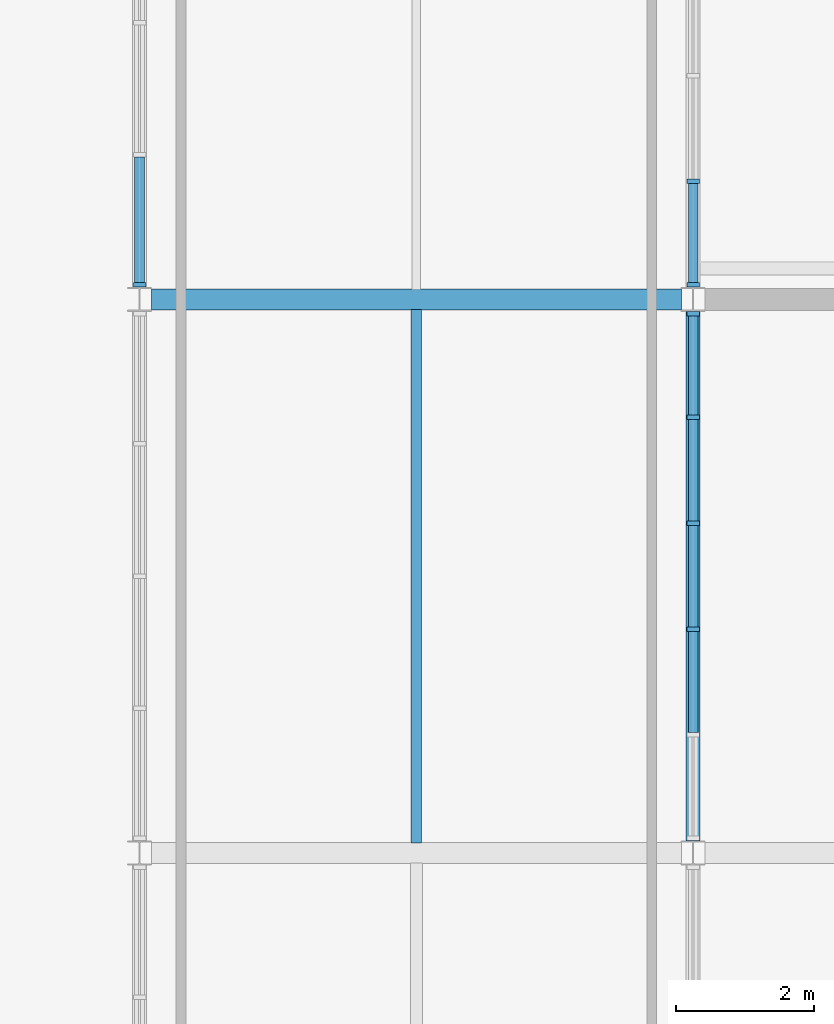
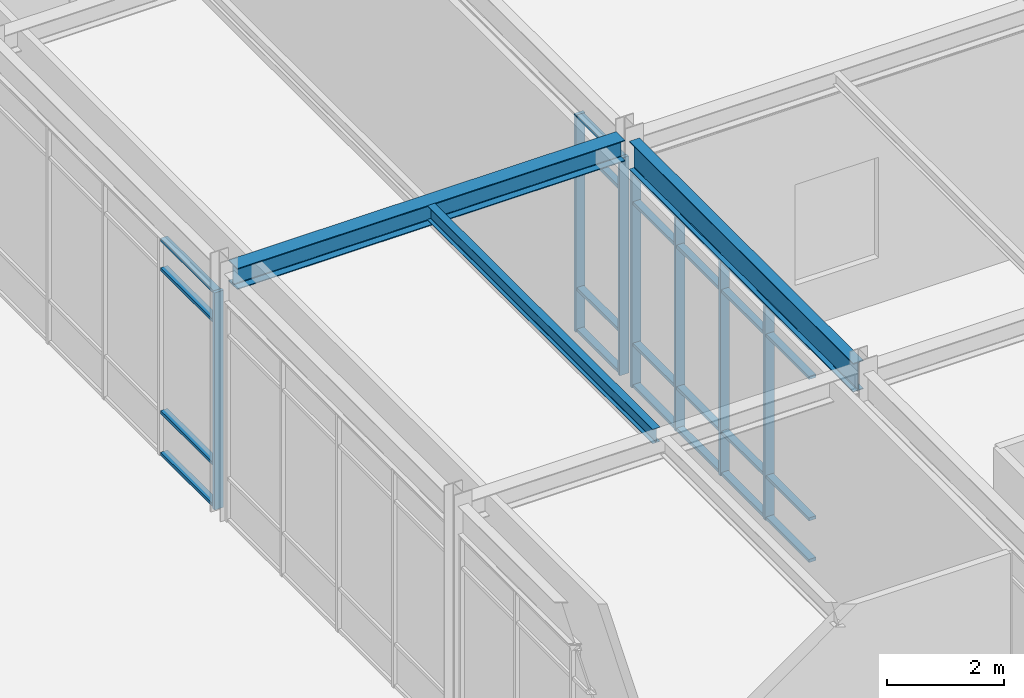
# One storey, part 37 of 119: 31 members, 3 beams, 3 elements without a shape of their own.
"""IFC4 building model written with IfcOpenShell, lengths in metres."""

from ifc_helpers import new_model, si_unit, direction, frame, origin, origin_2d, place, context, subcontext, project, spatial, rectangle, i_section, extrude, material, material_profile, profile_set, type_object, element, aggregate, save


model = new_model("IFC4")

# Units and contexts
model_context = context("Model", 3, precision=1e-05, world=origin(), true_north=direction((0.0, 1.0)))
body_context = subcontext(model_context, "Body", "Model", "MODEL_VIEW")
ifc_project = project(units=[si_unit("LENGTHUNIT", "METRE"), si_unit("AREAUNIT", "SQUARE_METRE"), si_unit("VOLUMEUNIT", "CUBIC_METRE"), si_unit("PLANEANGLEUNIT", "RADIAN"), si_unit("MASSUNIT", "GRAM", prefix="KILO")], contexts=[model_context])

# Site, building, storey
site_placement = place(None, origin())
site = spatial("IfcSite", under=ifc_project, at=site_placement, CompositionType="ELEMENT")
building_placement = place(site_placement, origin())
building = spatial("IfcBuilding", under=site, at=building_placement, Name="Zhaolan Boulevard Law Courts", CompositionType="ELEMENT")
storey_placement = place(building_placement, origin())
storey = spatial("IfcBuildingStorey", under=building, at=storey_placement, Name="L00", CompositionType="ELEMENT", Elevation=0.0)

# Curtain wall, member
ifc_material_1 = material(Name="Thermally broken aluminium and low-E glazing", Category="aluminium")
curtain_wall_type_1 = type_object("IfcCurtainWallType", Name="CURTAIN WALL M22", PredefinedType="USERDEFINED", material=ifc_material_1)
curtain_wall_1_placement = place(storey_placement, origin())
curtain_wall_1 = element("IfcCurtainWall", 1, at=curtain_wall_1_placement, inside=storey, type_object=curtain_wall_type_1, Name="Curtain Wall CW-L00-022", ObjectType="CURTAIN WALL", PredefinedType="USERDEFINED")
ifc_material_2 = material(Name="Fluorocarbon-coated aluminium 6063-T6", Category="aluminium")
ifc_material_profile_1 = material_profile(ifc_material_2, rectangle(XDim=0.179931640625, YDim=0.06494140625, at=origin_2d()), Name="AL65x180")
ifc_profile_set_1 = profile_set([ifc_material_profile_1], Name="Fluorocarbon-coated aluminium 6063-T6")
member_type_1 = type_object("IfcMemberType", Name="CWMULLION 65X180", PredefinedType="MULLION", material=ifc_profile_set_1)
member_1_placement = place(storey_placement, frame((116.0, 46.20947265625, 0.0), z_axis=(0.0, 0.0, 1.0), x_axis=(1.0, 0.0, 0.0)))
member_1 = element("IfcMember", 2, at=member_1_placement, type_object=member_type_1, Name="CW-L00-022 mullion 5", PredefinedType="MULLION", context=body_context, shape_type="SweptSolid", body=[
    extrude(rectangle(XDim=0.179931640625, YDim=0.06494140625, at=origin_2d()), origin(), (0.0, 0.0, 1.0), 4.532958984375),
])

# Curtain wall, members
ifc_material_3 = material(Name="Thermally broken aluminium and low-E glazing", Category="aluminium")
curtain_wall_type_2 = type_object("IfcCurtainWallType", Name="CURTAIN WALL M1", PredefinedType="USERDEFINED", material=ifc_material_3)
curtain_wall_2_placement = place(storey_placement, origin())
curtain_wall_2 = element("IfcCurtainWall", 3, at=curtain_wall_2_placement, inside=storey, type_object=curtain_wall_type_2, Name="Curtain Wall CW-L00-025", ObjectType="CURTAIN WALL", PredefinedType="USERDEFINED")
member_2_placement = place(storey_placement, frame((124.0, 41.2353515625, 0.0), z_axis=(0.0, 0.0, 1.0), x_axis=(-1.0, 0.0, 0.0)))
member_2 = element("IfcMember", 4, at=member_2_placement, type_object=member_type_1, Name="CW-L00-025 mullion 3", PredefinedType="MULLION", context=body_context, shape_type="SweptSolid", body=[
    extrude(rectangle(XDim=0.179931640625, YDim=0.06494140625, at=origin_2d()), origin(), (0.0, 0.0, 1.0), 4.5029296875),
])
member_3_placement = place(storey_placement, frame((124.0, 42.7646484375, 0.0), z_axis=(0.0, 0.0, 1.0), x_axis=(-1.0, 0.0, 0.0)))
member_3 = element("IfcMember", 5, at=member_3_placement, type_object=member_type_1, Name="CW-L00-025 mullion 4", PredefinedType="MULLION", context=body_context, shape_type="SweptSolid", body=[
    extrude(rectangle(XDim=0.179931640625, YDim=0.06494140625, at=origin_2d()), origin(), (0.0, 0.0, 1.0), 4.5029296875),
])
member_4_placement = place(storey_placement, frame((124.0, 44.293701171875, 0.0), z_axis=(0.0, 0.0, 1.0), x_axis=(-1.0, 0.0, 0.0)))
member_4 = element("IfcMember", 6, at=member_4_placement, type_object=member_type_1, Name="CW-L00-025 mullion 5", PredefinedType="MULLION", context=body_context, shape_type="SweptSolid", body=[
    extrude(rectangle(XDim=0.179931640625, YDim=0.06494140625, at=origin_2d()), origin(), (0.0, 0.0, 1.0), 4.5029296875),
])
member_5_placement = place(storey_placement, frame((124.0, 45.79052734375, 0.0), z_axis=(0.0, 0.0, 1.0), x_axis=(-1.0, 0.0, 0.0)))
member_5 = element("IfcMember", 7, at=member_5_placement, type_object=member_type_1, Name="CW-L00-025 mullion 6", PredefinedType="MULLION", context=body_context, shape_type="SweptSolid", body=[
    extrude(rectangle(XDim=0.179931640625, YDim=0.06494140625, at=origin_2d()), origin(), (0.0, 0.0, 1.0), 4.5029296875),
])

ifc_material_4 = material(Name="Thermally broken aluminium and low-E glazing", Category="aluminium")
curtain_wall_type_3 = type_object("IfcCurtainWallType", Name="CURTAIN WALL M2", PredefinedType="USERDEFINED", material=ifc_material_4)
curtain_wall_3_placement = place(storey_placement, origin())
curtain_wall_3 = element("IfcCurtainWall", 8, at=curtain_wall_3_placement, inside=storey, type_object=curtain_wall_type_3, Name="Curtain Wall CW-L00-026", ObjectType="CURTAIN WALL", PredefinedType="USERDEFINED")
member_6_placement = place(storey_placement, frame((124.0, 46.20947265625, 0.0), z_axis=(0.0, 0.0, 1.0), x_axis=(-1.0, 0.0, 0.0)))
member_6 = element("IfcMember", 9, at=member_6_placement, type_object=member_type_1, Name="CW-L00-026 mullion 1", PredefinedType="MULLION", context=body_context, shape_type="SweptSolid", body=[
    extrude(rectangle(XDim=0.179931640625, YDim=0.06494140625, at=origin_2d()), origin(), (0.0, 0.0, 1.0), 4.532958984375),
])
member_7_placement = place(storey_placement, frame((124.0, 47.706298828125, 0.0), z_axis=(0.0, 0.0, 1.0), x_axis=(-1.0, 0.0, 0.0)))
member_7 = element("IfcMember", 10, at=member_7_placement, type_object=member_type_1, Name="CW-L00-026 mullion 2", PredefinedType="MULLION", context=body_context, shape_type="SweptSolid", body=[
    extrude(rectangle(XDim=0.179931640625, YDim=0.06494140625, at=origin_2d()), origin(), (0.0, 0.0, 1.0), 4.532958984375),
])

# Member
ifc_material_5 = material(Name="Fluorocarbon-coated aluminium 6063-T6", Category="aluminium")
ifc_material_profile_2 = material_profile(ifc_material_5, rectangle(XDim=0.139892578125, YDim=0.06494140625, at=origin_2d()), Name="AL65x140")
ifc_profile_set_2 = profile_set([ifc_material_profile_2], Name="Fluorocarbon-coated aluminium 6063-T6")
member_type_2 = type_object("IfcMemberType", Name="CWTRANSOM 65X140", PredefinedType="USERDEFINED", material=ifc_profile_set_2)
member_8_placement = place(storey_placement, frame((116.0, 48.055908203125, 0.032470703125), z_axis=(0.0, -1.0, 0.0), x_axis=(1.0, 0.0, 0.0)))
member_8 = element("IfcMember", 11, at=member_8_placement, type_object=member_type_2, Name="CW-L00-022 transom 4.1", ObjectType="TRANSOM", PredefinedType="USERDEFINED", context=body_context, shape_type="SweptSolid", body=[
    extrude(rectangle(XDim=0.139892578125, YDim=0.06494140625, at=origin_2d()), origin(), (0.0, 0.0, 1.0), 1.81396484375),
])

member_9_placement = place(storey_placement, frame((116.0, 48.055908203125, 0.89990234375), z_axis=(0.0, -1.0, 0.0), x_axis=(1.0, 0.0, 0.0)))
member_9 = element("IfcMember", 12, at=member_9_placement, type_object=member_type_2, Name="CW-L00-022 transom 4.2", ObjectType="TRANSOM", PredefinedType="USERDEFINED", context=body_context, shape_type="SweptSolid", body=[
    extrude(rectangle(XDim=0.139892578125, YDim=0.06494140625, at=origin_2d()), origin(), (0.0, 0.0, 1.0), 1.81396484375),
])

member_10_placement = place(storey_placement, frame((116.0, 48.055908203125, 3.883056640625), z_axis=(0.0, -1.0, 0.0), x_axis=(1.0, 0.0, 0.0)))
member_10 = element("IfcMember", 13, at=member_10_placement, type_object=member_type_2, Name="CW-L00-022 transom 4.3", ObjectType="TRANSOM", PredefinedType="USERDEFINED", context=body_context, shape_type="SweptSolid", body=[
    extrude(rectangle(XDim=0.139892578125, YDim=0.06494140625, at=origin_2d()), origin(), (0.0, 0.0, 1.0), 1.81396484375),
])

member_11_placement = place(storey_placement, frame((116.0, 48.055908203125, 4.50048828125), z_axis=(0.0, -1.0, 0.0), x_axis=(1.0, 0.0, 0.0)))
member_11 = element("IfcMember", 14, at=member_11_placement, type_object=member_type_2, Name="CW-L00-022 transom 4.4", ObjectType="TRANSOM", PredefinedType="USERDEFINED", context=body_context, shape_type="SweptSolid", body=[
    extrude(rectangle(XDim=0.139892578125, YDim=0.06494140625, at=origin_2d()), origin(), (0.0, 0.0, 1.0), 1.81396484375),
])

aggregate(curtain_wall_1, [member_1, member_8, member_9, member_10, member_11])

member_12_placement = place(storey_placement, frame((124.0, 39.73876953125, 0.032470703125), z_axis=(0.0, 1.0, 0.0), x_axis=(-1.0, 0.0, 0.0)))
member_12 = element("IfcMember", 15, at=member_12_placement, type_object=member_type_2, Name="CW-L00-025 transom 2.1", ObjectType="TRANSOM", PredefinedType="USERDEFINED", context=body_context, shape_type="SweptSolid", body=[
    extrude(rectangle(XDim=0.139892578125, YDim=0.06494140625, at=origin_2d()), origin(), (0.0, 0.0, 1.0), 1.464111328125),
])

member_13_placement = place(storey_placement, frame((124.0, 39.73876953125, 0.89990234375), z_axis=(0.0, 1.0, 0.0), x_axis=(-1.0, 0.0, 0.0)))
member_13 = element("IfcMember", 16, at=member_13_placement, type_object=member_type_2, Name="CW-L00-025 transom 2.2", ObjectType="TRANSOM", PredefinedType="USERDEFINED", context=body_context, shape_type="SweptSolid", body=[
    extrude(rectangle(XDim=0.139892578125, YDim=0.06494140625, at=origin_2d()), origin(), (0.0, 0.0, 1.0), 1.464111328125),
])

member_14_placement = place(storey_placement, frame((124.0, 39.73876953125, 3.85302734375), z_axis=(0.0, 1.0, 0.0), x_axis=(-1.0, 0.0, 0.0)))
member_14 = element("IfcMember", 17, at=member_14_placement, type_object=member_type_2, Name="CW-L00-025 transom 2.3", ObjectType="TRANSOM", PredefinedType="USERDEFINED", context=body_context, shape_type="SweptSolid", body=[
    extrude(rectangle(XDim=0.139892578125, YDim=0.06494140625, at=origin_2d()), origin(), (0.0, 0.0, 1.0), 1.464111328125),
])

member_15_placement = place(storey_placement, frame((124.0, 39.73876953125, 4.470458984375), z_axis=(0.0, 1.0, 0.0), x_axis=(-1.0, 0.0, 0.0)))
member_15 = element("IfcMember", 18, at=member_15_placement, type_object=member_type_2, Name="CW-L00-025 transom 2.4", ObjectType="TRANSOM", PredefinedType="USERDEFINED", context=body_context, shape_type="SweptSolid", body=[
    extrude(rectangle(XDim=0.139892578125, YDim=0.06494140625, at=origin_2d()), origin(), (0.0, 0.0, 1.0), 1.464111328125),
])

member_16_placement = place(storey_placement, frame((124.0, 41.267822265625, 0.032470703125), z_axis=(0.0, 1.0, 0.0), x_axis=(-1.0, 0.0, 0.0)))
member_16 = element("IfcMember", 19, at=member_16_placement, type_object=member_type_2, Name="CW-L00-025 transom 3.1", ObjectType="TRANSOM", PredefinedType="USERDEFINED", context=body_context, shape_type="SweptSolid", body=[
    extrude(rectangle(XDim=0.139892578125, YDim=0.06494140625, at=origin_2d()), origin(), (0.0, 0.0, 1.0), 1.46435546875),
])

member_17_placement = place(storey_placement, frame((124.0, 41.267822265625, 0.89990234375), z_axis=(0.0, 1.0, 0.0), x_axis=(-1.0, 0.0, 0.0)))
member_17 = element("IfcMember", 20, at=member_17_placement, type_object=member_type_2, Name="CW-L00-025 transom 3.2", ObjectType="TRANSOM", PredefinedType="USERDEFINED", context=body_context, shape_type="SweptSolid", body=[
    extrude(rectangle(XDim=0.139892578125, YDim=0.06494140625, at=origin_2d()), origin(), (0.0, 0.0, 1.0), 1.46435546875),
])

member_18_placement = place(storey_placement, frame((124.0, 41.267822265625, 3.85302734375), z_axis=(0.0, 1.0, 0.0), x_axis=(-1.0, 0.0, 0.0)))
member_18 = element("IfcMember", 21, at=member_18_placement, type_object=member_type_2, Name="CW-L00-025 transom 3.3", ObjectType="TRANSOM", PredefinedType="USERDEFINED", context=body_context, shape_type="SweptSolid", body=[
    extrude(rectangle(XDim=0.139892578125, YDim=0.06494140625, at=origin_2d()), origin(), (0.0, 0.0, 1.0), 1.46435546875),
])

member_19_placement = place(storey_placement, frame((124.0, 41.267822265625, 4.470458984375), z_axis=(0.0, 1.0, 0.0), x_axis=(-1.0, 0.0, 0.0)))
member_19 = element("IfcMember", 22, at=member_19_placement, type_object=member_type_2, Name="CW-L00-025 transom 3.4", ObjectType="TRANSOM", PredefinedType="USERDEFINED", context=body_context, shape_type="SweptSolid", body=[
    extrude(rectangle(XDim=0.139892578125, YDim=0.06494140625, at=origin_2d()), origin(), (0.0, 0.0, 1.0), 1.46435546875),
])

member_20_placement = place(storey_placement, frame((124.0, 42.797119140625, 0.032470703125), z_axis=(0.0, 1.0, 0.0), x_axis=(-1.0, 0.0, 0.0)))
member_20 = element("IfcMember", 23, at=member_20_placement, type_object=member_type_2, Name="CW-L00-025 transom 4.1", ObjectType="TRANSOM", PredefinedType="USERDEFINED", context=body_context, shape_type="SweptSolid", body=[
    extrude(rectangle(XDim=0.139892578125, YDim=0.06494140625, at=origin_2d()), origin(), (0.0, 0.0, 1.0), 1.464111328125),
])

member_21_placement = place(storey_placement, frame((124.0, 42.797119140625, 0.89990234375), z_axis=(0.0, 1.0, 0.0), x_axis=(-1.0, 0.0, 0.0)))
member_21 = element("IfcMember", 24, at=member_21_placement, type_object=member_type_2, Name="CW-L00-025 transom 4.2", ObjectType="TRANSOM", PredefinedType="USERDEFINED", context=body_context, shape_type="SweptSolid", body=[
    extrude(rectangle(XDim=0.139892578125, YDim=0.06494140625, at=origin_2d()), origin(), (0.0, 0.0, 1.0), 1.464111328125),
])

member_22_placement = place(storey_placement, frame((124.0, 42.797119140625, 3.85302734375), z_axis=(0.0, 1.0, 0.0), x_axis=(-1.0, 0.0, 0.0)))
member_22 = element("IfcMember", 25, at=member_22_placement, type_object=member_type_2, Name="CW-L00-025 transom 4.3", ObjectType="TRANSOM", PredefinedType="USERDEFINED", context=body_context, shape_type="SweptSolid", body=[
    extrude(rectangle(XDim=0.139892578125, YDim=0.06494140625, at=origin_2d()), origin(), (0.0, 0.0, 1.0), 1.464111328125),
])

member_23_placement = place(storey_placement, frame((124.0, 42.797119140625, 4.470458984375), z_axis=(0.0, 1.0, 0.0), x_axis=(-1.0, 0.0, 0.0)))
member_23 = element("IfcMember", 26, at=member_23_placement, type_object=member_type_2, Name="CW-L00-025 transom 4.4", ObjectType="TRANSOM", PredefinedType="USERDEFINED", context=body_context, shape_type="SweptSolid", body=[
    extrude(rectangle(XDim=0.139892578125, YDim=0.06494140625, at=origin_2d()), origin(), (0.0, 0.0, 1.0), 1.464111328125),
])

member_24_placement = place(storey_placement, frame((124.0, 44.326416015625, 0.032470703125), z_axis=(0.0, 1.0, 0.0), x_axis=(-1.0, 0.0, 0.0)))
member_24 = element("IfcMember", 27, at=member_24_placement, type_object=member_type_2, Name="CW-L00-025 transom 5.1", ObjectType="TRANSOM", PredefinedType="USERDEFINED", context=body_context, shape_type="SweptSolid", body=[
    extrude(rectangle(XDim=0.139892578125, YDim=0.06494140625, at=origin_2d()), origin(), (0.0, 0.0, 1.0), 1.431640625),
])

member_25_placement = place(storey_placement, frame((124.0, 44.326416015625, 0.89990234375), z_axis=(0.0, 1.0, 0.0), x_axis=(-1.0, 0.0, 0.0)))
member_25 = element("IfcMember", 28, at=member_25_placement, type_object=member_type_2, Name="CW-L00-025 transom 5.2", ObjectType="TRANSOM", PredefinedType="USERDEFINED", context=body_context, shape_type="SweptSolid", body=[
    extrude(rectangle(XDim=0.139892578125, YDim=0.06494140625, at=origin_2d()), origin(), (0.0, 0.0, 1.0), 1.431640625),
])

member_26_placement = place(storey_placement, frame((124.0, 44.326416015625, 3.85302734375), z_axis=(0.0, 1.0, 0.0), x_axis=(-1.0, 0.0, 0.0)))
member_26 = element("IfcMember", 29, at=member_26_placement, type_object=member_type_2, Name="CW-L00-025 transom 5.3", ObjectType="TRANSOM", PredefinedType="USERDEFINED", context=body_context, shape_type="SweptSolid", body=[
    extrude(rectangle(XDim=0.139892578125, YDim=0.06494140625, at=origin_2d()), origin(), (0.0, 0.0, 1.0), 1.431640625),
])

member_27_placement = place(storey_placement, frame((124.0, 44.326416015625, 4.470458984375), z_axis=(0.0, 1.0, 0.0), x_axis=(-1.0, 0.0, 0.0)))
member_27 = element("IfcMember", 30, at=member_27_placement, type_object=member_type_2, Name="CW-L00-025 transom 5.4", ObjectType="TRANSOM", PredefinedType="USERDEFINED", context=body_context, shape_type="SweptSolid", body=[
    extrude(rectangle(XDim=0.139892578125, YDim=0.06494140625, at=origin_2d()), origin(), (0.0, 0.0, 1.0), 1.431640625),
])

aggregate(curtain_wall_2, [member_2, member_3, member_4, member_5, member_12, member_13, member_14, member_15, member_16, member_17, member_18, member_19, member_20, member_21, member_22, member_23, member_24, member_25, member_26, member_27])

member_28_placement = place(storey_placement, frame((124.0, 46.241943359375, 0.032470703125), z_axis=(0.0, 1.0, 0.0), x_axis=(-1.0, 0.0, 0.0)))
member_28 = element("IfcMember", 31, at=member_28_placement, type_object=member_type_2, Name="CW-L00-026 transom 1.1", ObjectType="TRANSOM", PredefinedType="USERDEFINED", context=body_context, shape_type="SweptSolid", body=[
    extrude(rectangle(XDim=0.139892578125, YDim=0.06494140625, at=origin_2d()), origin(), (0.0, 0.0, 1.0), 1.431640625),
])

member_29_placement = place(storey_placement, frame((124.0, 46.241943359375, 0.89990234375), z_axis=(0.0, 1.0, 0.0), x_axis=(-1.0, 0.0, 0.0)))
member_29 = element("IfcMember", 32, at=member_29_placement, type_object=member_type_2, Name="CW-L00-026 transom 1.2", ObjectType="TRANSOM", PredefinedType="USERDEFINED", context=body_context, shape_type="SweptSolid", body=[
    extrude(rectangle(XDim=0.139892578125, YDim=0.06494140625, at=origin_2d()), origin(), (0.0, 0.0, 1.0), 1.431640625),
])

member_30_placement = place(storey_placement, frame((124.0, 46.241943359375, 3.883056640625), z_axis=(0.0, 1.0, 0.0), x_axis=(-1.0, 0.0, 0.0)))
member_30 = element("IfcMember", 33, at=member_30_placement, type_object=member_type_2, Name="CW-L00-026 transom 1.3", ObjectType="TRANSOM", PredefinedType="USERDEFINED", context=body_context, shape_type="SweptSolid", body=[
    extrude(rectangle(XDim=0.139892578125, YDim=0.06494140625, at=origin_2d()), origin(), (0.0, 0.0, 1.0), 1.431640625),
])

member_31_placement = place(storey_placement, frame((124.0, 46.241943359375, 4.50048828125), z_axis=(0.0, 1.0, 0.0), x_axis=(-1.0, 0.0, 0.0)))
member_31 = element("IfcMember", 34, at=member_31_placement, type_object=member_type_2, Name="CW-L00-026 transom 1.4", ObjectType="TRANSOM", PredefinedType="USERDEFINED", context=body_context, shape_type="SweptSolid", body=[
    extrude(rectangle(XDim=0.139892578125, YDim=0.06494140625, at=origin_2d()), origin(), (0.0, 0.0, 1.0), 1.431640625),
])

aggregate(curtain_wall_3, [member_6, member_7, member_28, member_29, member_30, member_31])

# Beams
ifc_material_6 = material(Name="Structural steel Q355B", Category="steel")
ifc_material_profile_3 = material_profile(ifc_material_6, i_section(OverallWidth=0.300048828125, OverallDepth=0.43994140625, WebThickness=0.010986328125, FlangeThickness=0.01806640625, FilletRadius=0.02001953125, at=origin_2d()), Name="HM440x300")
ifc_profile_set_3 = profile_set([ifc_material_profile_3], Name="Structural steel Q355B")
beam_type_1 = type_object("IfcBeamType", Name="GIRDER HM440", PredefinedType="BEAM", material=ifc_profile_set_3)
beam_1_placement = place(storey_placement, frame((116.1708984375, 46.0, 4.927978515625), z_axis=(1.0, 0.0, 0.0), x_axis=(0.0, 1.0, 0.0)))
element("IfcBeam", 35, at=beam_1_placement, inside=storey, type_object=beam_type_1, Name="Beam BX-L01-15-16-G", PredefinedType="BEAM", context=body_context, shape_type="SweptSolid", body=[
    extrude(i_section(OverallWidth=0.300048828125, OverallDepth=0.43994140625, WebThickness=0.010986328125, FlangeThickness=0.01806640625, FilletRadius=0.02001953125, at=origin_2d()), origin(), (0.0, 0.0, 1.0), 7.658203125),
])
ifc_material_7 = material(Name="Structural steel Q355B", Category="steel")
ifc_material_profile_4 = material_profile(ifc_material_7, i_section(OverallWidth=0.199951171875, OverallDepth=0.60009765625, WebThickness=0.010986328125, FlangeThickness=0.01708984375, FilletRadius=0.02001953125, at=origin_2d()), Name="HN600x200")
ifc_profile_set_4 = profile_set([ifc_material_profile_4], Name="Structural steel Q355B")
beam_type_2 = type_object("IfcBeamType", Name="GIRDER HN600", PredefinedType="BEAM", material=ifc_profile_set_4)
beam_2_placement = place(storey_placement, frame((124.0, 38.1708984375, 4.818115234375), z_axis=(0.0, 1.0, 0.0), x_axis=(-1.0, 0.0, 0.0)))
element("IfcBeam", 36, at=beam_2_placement, inside=storey, type_object=beam_type_2, Name="Beam BY-L01-16-F-G", PredefinedType="BEAM", context=body_context, shape_type="SweptSolid", body=[
    extrude(i_section(OverallWidth=0.199951171875, OverallDepth=0.60009765625, WebThickness=0.010986328125, FlangeThickness=0.01708984375, FilletRadius=0.02001953125, at=origin_2d()), origin(), (0.0, 0.0, 1.0), 7.658203125),
])
ifc_material_8 = material(Name="Structural steel Q355B", Category="steel")
ifc_material_profile_5 = material_profile(ifc_material_8, i_section(OverallWidth=0.14990234375, OverallDepth=0.300048828125, WebThickness=0.006591796875, FlangeThickness=0.009033203125, FilletRadius=0.010986328125, at=origin_2d()), Name="HN300x150")
ifc_profile_set_5 = profile_set([ifc_material_profile_5], Name="Structural steel Q355B")
beam_type_3 = type_object("IfcBeamType", Name="JOIST HN300", PredefinedType="JOIST", material=ifc_profile_set_5)
beam_3_placement = place(storey_placement, frame((120.0, 38.14599609375, 4.998046875), z_axis=(0.0, 1.0, 0.0), x_axis=(-1.0, 0.0, 0.0)))
element("IfcBeam", 37, at=beam_3_placement, inside=storey, type_object=beam_type_3, Name="Composite Joist J-L01-15F", PredefinedType="JOIST", context=body_context, shape_type="SweptSolid", body=[
    extrude(i_section(OverallWidth=0.14990234375, OverallDepth=0.300048828125, WebThickness=0.006591796875, FlangeThickness=0.009033203125, FilletRadius=0.010986328125, at=origin_2d()), origin(), (0.0, 0.0, 1.0), 7.7080078125),
])

save(model, "model.ifc")
